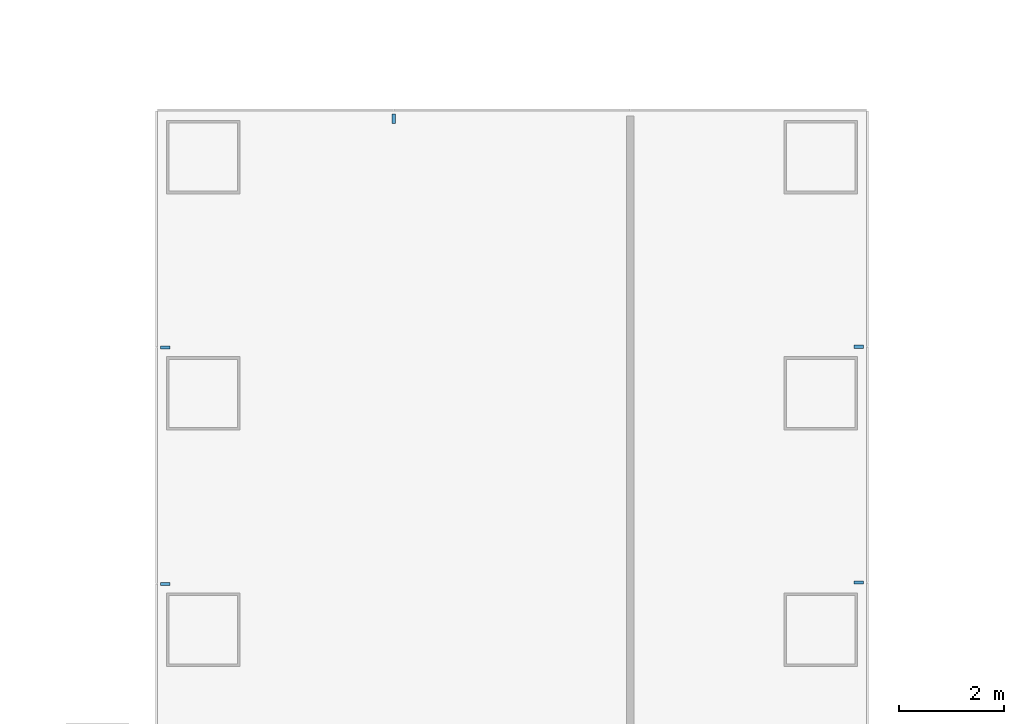
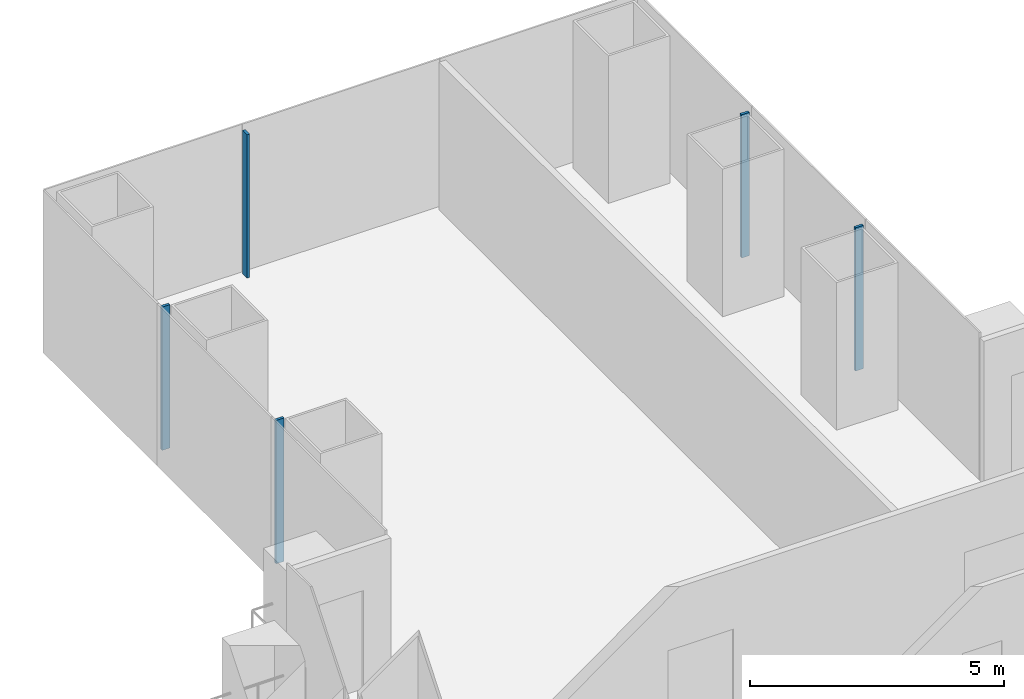
# One storey, part 5 of 21: 5 members, 3 elements without a shape of their own.
"""IFC4 building model written with IfcOpenShell, lengths in metres."""

from ifc_helpers import new_model, si_unit, direction, frame, origin, origin_2d, place, context, subcontext, project, spatial, rectangle, extrude, material, layer, layer_set, material_profile, profile_set, type_object, element, aggregate, save


model = new_model("IFC4")

# Units and contexts
model_context = context("Model", 3, precision=1e-05, world=origin(), true_north=direction((0.0, 1.0)))
body_context = subcontext(model_context, "Body", "Model", "MODEL_VIEW")
ifc_project = project(units=[si_unit("LENGTHUNIT", "METRE"), si_unit("AREAUNIT", "SQUARE_METRE"), si_unit("VOLUMEUNIT", "CUBIC_METRE"), si_unit("PLANEANGLEUNIT", "RADIAN"), si_unit("MASSUNIT", "GRAM", prefix="KILO")], contexts=[model_context])

# Site, building, storey
site_placement = place(None, origin())
site = spatial("IfcSite", under=ifc_project, at=site_placement, CompositionType="ELEMENT")
building_placement = place(site_placement, origin())
building = spatial("IfcBuilding", under=site, at=building_placement, Name="Shamsa Quay Exchange Towers", CompositionType="ELEMENT")
storey_placement = place(building_placement, frame((0.0, 0.0, 42.0)))
storey = spatial("IfcBuildingStorey", under=building, at=storey_placement, Name="L08", CompositionType="ELEMENT", Elevation=42.0)

# Curtain wall, members
ifc_material = material(Name="Aluminium EN AW-6063 T6, black anodised", Category="aluminium")
ifc_layer = layer(ifc_material, 0.280029296875)
ifc_layer_set = layer_set([ifc_layer], Name="CW-1 UNITISED VISION GLASS")
curtain_wall_type = type_object("IfcCurtainWallType", Name="CW-1 UNITISED VISION GLASS", PredefinedType="NOTDEFINED", material=ifc_layer_set)
curtain_wall_1_placement = place(storey_placement, origin())
curtain_wall_1 = element("IfcCurtainWall", 1, at=curtain_wall_1_placement, inside=storey, type_object=curtain_wall_type, Name="CW1 T1-FLK-V+E L08", PredefinedType="NOTDEFINED")
ifc_material_profile = material_profile(ifc_material, rectangle(XDim=0.179931640625, YDim=0.06005859375, at=origin_2d()), Name="MU60x180")
ifc_profile_set = profile_set([ifc_material_profile], Name="Aluminium EN AW-6063 T6, black anodised")
member_type = type_object("IfcMemberType", Name="CW1 MULLION 60x180", PredefinedType="MULLION", material=ifc_profile_set)
member_1_placement = place(storey_placement, frame((-27.14990234375, 15.775390625, 0.0), z_axis=(0.0, 0.0, 1.0), x_axis=(-1.0, 0.0, 0.0)))
member_1 = element("IfcMember", 2, at=member_1_placement, type_object=member_type, Name="CW1 mullion", PredefinedType="MULLION", context=body_context, shape_type="SweptSolid", body=[
    extrude(rectangle(XDim=0.179931640625, YDim=0.06005859375, at=origin_2d()), origin(), (0.0, 0.0, 1.0), 3.449951171875),
])
member_2_placement = place(storey_placement, frame((-27.14990234375, 20.2626953125, 0.0), z_axis=(0.0, 0.0, 1.0), x_axis=(-1.0, 0.0, 0.0)))
member_2 = element("IfcMember", 3, at=member_2_placement, type_object=member_type, Name="CW1 mullion", PredefinedType="MULLION", context=body_context, shape_type="SweptSolid", body=[
    extrude(rectangle(XDim=0.179931640625, YDim=0.06005859375, at=origin_2d()), origin(), (0.0, 0.0, 1.0), 3.449951171875),
])
aggregate(curtain_wall_1, [member_1, member_2])

# Curtain wall, member
curtain_wall_2_placement = place(storey_placement, origin())
curtain_wall_2 = element("IfcCurtainWall", 4, at=curtain_wall_2_placement, inside=storey, type_object=curtain_wall_type, Name="CW1 T1-END-V+ L08", PredefinedType="NOTDEFINED")
member_3_placement = place(storey_placement, frame((-36.0, 24.60009765625, 0.0), z_axis=(0.0, 0.0, 1.0), x_axis=(0.0, -1.0, 0.0)))
member_3 = element("IfcMember", 5, at=member_3_placement, type_object=member_type, Name="CW1 mullion", PredefinedType="MULLION", context=body_context, shape_type="SweptSolid", body=[
    extrude(rectangle(XDim=0.179931640625, YDim=0.06005859375, at=origin_2d()), origin(), (0.0, 0.0, 1.0), 3.449951171875),
])
aggregate(curtain_wall_2, [member_3])

# Curtain wall, members
curtain_wall_3_placement = place(storey_placement, origin())
curtain_wall_3 = element("IfcCurtainWall", 6, at=curtain_wall_3_placement, inside=storey, type_object=curtain_wall_type, Name="CW1 T1-FLK-V+W L08", PredefinedType="NOTDEFINED")
member_4_placement = place(storey_placement, frame((-40.35009765625, 20.25, 0.0)))
member_4 = element("IfcMember", 7, at=member_4_placement, type_object=member_type, Name="CW1 mullion", PredefinedType="MULLION", context=body_context, shape_type="SweptSolid", body=[
    extrude(rectangle(XDim=0.179931640625, YDim=0.06005859375, at=origin_2d()), origin(), (0.0, 0.0, 1.0), 3.449951171875),
])
member_5_placement = place(storey_placement, frame((-40.35009765625, 15.75, 0.0)))
member_5 = element("IfcMember", 8, at=member_5_placement, type_object=member_type, Name="CW1 mullion", PredefinedType="MULLION", context=body_context, shape_type="SweptSolid", body=[
    extrude(rectangle(XDim=0.179931640625, YDim=0.06005859375, at=origin_2d()), origin(), (0.0, 0.0, 1.0), 3.449951171875),
])
aggregate(curtain_wall_3, [member_4, member_5])

save(model, "model.ifc")
